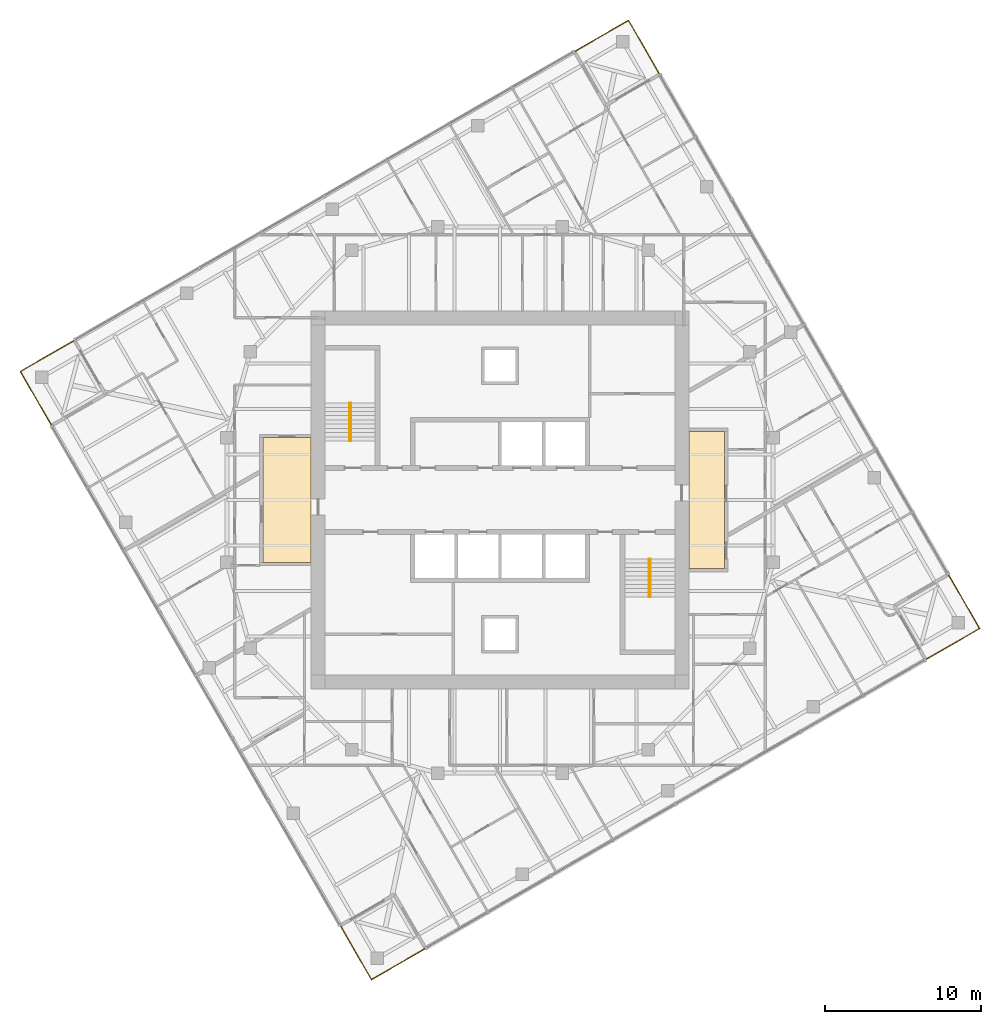
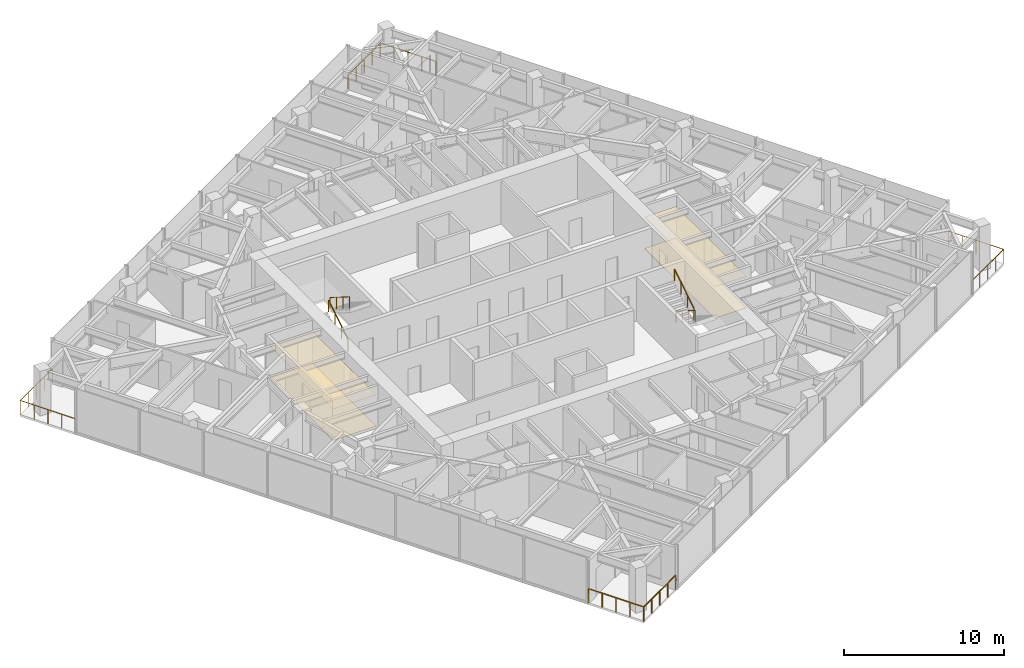
# One storey, part 12 of 12: 8 railings, 4 coverings, 2 elements without a shape of their own.
"""IFC4 building model written with IfcOpenShell, lengths in metres."""

from ifc_helpers import new_model, si_unit, direction, frame, origin, origin_2d, place, context, subcontext, project, spatial, polyline, circle, outline, extrude, material, layer, layer_set, type_object, element, aggregate, save


model = new_model("IFC4")

# Units and contexts
model_context = context("Model", 3, precision=1e-05, world=origin(), true_north=direction((0.0, 1.0)))
body_context = subcontext(model_context, "Body", "Model", "MODEL_VIEW")
ifc_project = project(units=[si_unit("LENGTHUNIT", "METRE"), si_unit("AREAUNIT", "SQUARE_METRE"), si_unit("VOLUMEUNIT", "CUBIC_METRE"), si_unit("PLANEANGLEUNIT", "RADIAN"), si_unit("MASSUNIT", "GRAM", prefix="KILO")], contexts=[model_context])

# Site, building, storey
site_placement = place(None, origin())
site = spatial("IfcSite", under=ifc_project, at=site_placement, CompositionType="ELEMENT")
building_placement = place(site_placement, origin())
building = spatial("IfcBuilding", under=site, at=building_placement, Name="Torsade Residences", CompositionType="ELEMENT")
storey_placement = place(building_placement, frame((0.0, 0.0, 211.60009765625)))
storey = spatial("IfcBuildingStorey", under=building, at=storey_placement, Name="L58", CompositionType="ELEMENT", Elevation=211.60009765625)

# Coverings
ifc_material_1 = material(Name="Nylon carpet tile on underlay", Category="textile")
ifc_layer_1 = layer(ifc_material_1, 0.010009765625)
ifc_layer_set_1 = layer_set([ifc_layer_1], Name="Nylon carpet tile on underlay")
covering_type_1 = type_object("IfcCoveringType", Name="CORRIDOR CARPET TILE 10", PredefinedType="FLOORING", material=ifc_layer_set_1)
covering_1_placement = place(storey_placement, origin())
element("IfcCovering", 1, at=covering_1_placement, inside=storey, type_object=covering_type_1, Name="Corridor carpet L58", PredefinedType="FLOORING", context=body_context, shape_type="SweptSolid", body=[
    extrude(outline(polyline([(54.39990234375, 25.60009765625), (54.39990234375, 34.39990234375), (52.10009765625, 34.39990234375), (52.10009765625, 25.60009765625), (54.39990234375, 25.60009765625)])), origin(), (0.0, 0.0, 1.0), 0.010009765625),
])
covering_2_placement = place(storey_placement, origin())
element("IfcCovering", 2, at=covering_2_placement, inside=storey, type_object=covering_type_1, Name="Corridor carpet west L58", PredefinedType="FLOORING", context=body_context, shape_type="SweptSolid", body=[
    extrude(outline(polyline([(27.89990234375, 26.0), (27.89990234375, 34.0), (24.800048828125, 34.0), (24.800048828125, 26.0), (27.89990234375, 26.0)])), origin(), (0.0, 0.0, 1.0), 0.010009765625),
])
ifc_material_2 = material(Name="Plasterboard on suspended steel grid", Category="steel")
ifc_layer_2 = layer(ifc_material_2, 0.012939453125)
ifc_layer_set_2 = layer_set([ifc_layer_2], Name="Plasterboard on suspended steel grid")
covering_type_2 = type_object("IfcCoveringType", Name="CORRIDOR SUSPENDED CEILING 13", PredefinedType="CEILING", material=ifc_layer_set_2)
covering_3_placement = place(storey_placement, frame((0.0, 0.0, 2.39990234375)))
element("IfcCovering", 3, at=covering_3_placement, inside=storey, type_object=covering_type_2, Name="Corridor ceiling L58", PredefinedType="CEILING", context=body_context, shape_type="SweptSolid", body=[
    extrude(outline(polyline([(54.39990234375, 25.60009765625), (54.39990234375, 34.39990234375), (52.10009765625, 34.39990234375), (52.10009765625, 25.60009765625), (54.39990234375, 25.60009765625)])), origin(), (0.0, 0.0, 1.0), 0.012939453125),
])
covering_4_placement = place(storey_placement, frame((0.0, 0.0, 2.39990234375)))
element("IfcCovering", 4, at=covering_4_placement, inside=storey, type_object=covering_type_2, Name="Corridor ceiling west L58", PredefinedType="CEILING", context=body_context, shape_type="SweptSolid", body=[
    extrude(outline(polyline([(27.89990234375, 26.0), (27.89990234375, 34.0), (24.800048828125, 34.0), (24.800048828125, 26.0), (27.89990234375, 26.0)])), origin(), (0.0, 0.0, 1.0), 0.012939453125),
])

# Stair, railings
ifc_material_3 = material(Name="Precast concrete 40 MPa", Category="concrete")
stair_type = type_object("IfcStairType", Name="HALF-TURN FIRE STAIR 1500x3400", PredefinedType="HALF_TURN_STAIR", material=ifc_material_3)
stair_1_placement = place(storey_placement, origin())
stair_1 = element("IfcStair", 5, at=stair_1_placement, inside=storey, type_object=stair_type, Name="Stair ST1 L58", PredefinedType="HALF_TURN_STAIR")
ifc_material_4 = material(Name="Steel handrail", Category="steel")
railing_type_1 = type_object("IfcRailingType", Name="STAIR HANDRAIL 900", PredefinedType="HANDRAIL", material=ifc_material_4)
railing_1_placement = place(storey_placement, frame((30.35009765625, 33.780029296875, 0.169921875)))
railing_1 = element("IfcRailing", 6, at=railing_1_placement, type_object=railing_type_1, Name="Handrail ST1 flight 1 L58", PredefinedType="HANDRAIL", context=body_context, shape_type="SweptSolid", body=[
    extrude(circle(Radius=0.02392578125, at=origin_2d()), frame((0.0, 0.0, 0.8759765625), z_axis=(0.0, 0.846221481393, 0.532831309544), x_axis=(-1.0, 0.0, 0.0)), (0.0, 0.0, 1.0), 2.87158203125),
    extrude(circle(Radius=0.02099609375, at=origin_2d()), origin(), (0.0, 0.0, 1.0), 0.851806640625),
    extrude(circle(Radius=0.02099609375, at=origin_2d()), frame((0.0, 0.81005859375, 0.510009765625)), (0.0, 0.0, 1.0), 0.851806640625),
    extrude(circle(Radius=0.02099609375, at=origin_2d()), frame((0.0, 1.619873046875, 1.02001953125)), (0.0, 0.0, 1.0), 0.851806640625),
    extrude(circle(Radius=0.02099609375, at=origin_2d()), frame((0.0, 2.429931640625, 1.530029296875)), (0.0, 0.0, 1.0), 0.851806640625),
])
railing_2_placement = place(storey_placement, frame((30.449951171875, 36.2099609375, 1.869873046875)))
railing_2 = element("IfcRailing", 7, at=railing_2_placement, type_object=railing_type_1, Name="Handrail ST1 flight 2 L58", PredefinedType="HANDRAIL", context=body_context, shape_type="SweptSolid", body=[
    extrude(circle(Radius=0.02392578125, at=origin_2d()), frame((0.0, 0.0, 0.8759765625), z_axis=(0.0, -0.846221481393, 0.532831309544), x_axis=(1.0, 0.0, 0.0)), (0.0, 0.0, 1.0), 2.87158203125),
    extrude(circle(Radius=0.02099609375, at=origin_2d()), origin(), (0.0, 0.0, 1.0), 0.851806640625),
    extrude(circle(Radius=0.02099609375, at=origin_2d()), frame((0.0, -0.81005859375, 0.510009765625)), (0.0, 0.0, 1.0), 0.851806640625),
    extrude(circle(Radius=0.02099609375, at=origin_2d()), frame((0.0, -1.619873046875, 1.02001953125)), (0.0, 0.0, 1.0), 0.851806640625),
    extrude(circle(Radius=0.02099609375, at=origin_2d()), frame((0.0, -2.429931640625, 1.530029296875)), (0.0, 0.0, 1.0), 0.851806640625),
])
aggregate(stair_1, [railing_1, railing_2])

stair_2_placement = place(storey_placement, origin())
stair_2 = element("IfcStair", 8, at=stair_2_placement, inside=storey, type_object=stair_type, Name="Stair ST2 L58", PredefinedType="HALF_TURN_STAIR")
railing_3_placement = place(storey_placement, frame((49.64990234375, 26.219970703125, 0.169921875)))
railing_3 = element("IfcRailing", 9, at=railing_3_placement, type_object=railing_type_1, Name="Handrail ST2 flight 1 L58", PredefinedType="HANDRAIL", context=body_context, shape_type="SweptSolid", body=[
    extrude(circle(Radius=0.02392578125, at=origin_2d()), frame((0.0, 0.0, 0.8759765625), z_axis=(0.0, -0.846221481393, 0.532831309544), x_axis=(1.0, 0.0, 0.0)), (0.0, 0.0, 1.0), 2.87158203125),
    extrude(circle(Radius=0.02099609375, at=origin_2d()), origin(), (0.0, 0.0, 1.0), 0.851806640625),
    extrude(circle(Radius=0.02099609375, at=origin_2d()), frame((0.0, -0.81005859375, 0.510009765625)), (0.0, 0.0, 1.0), 0.851806640625),
    extrude(circle(Radius=0.02099609375, at=origin_2d()), frame((0.0, -1.619873046875, 1.02001953125)), (0.0, 0.0, 1.0), 0.851806640625),
    extrude(circle(Radius=0.02099609375, at=origin_2d()), frame((0.0, -2.429931640625, 1.530029296875)), (0.0, 0.0, 1.0), 0.851806640625),
])
railing_4_placement = place(storey_placement, frame((49.550048828125, 23.7900390625, 1.869873046875)))
railing_4 = element("IfcRailing", 10, at=railing_4_placement, type_object=railing_type_1, Name="Handrail ST2 flight 2 L58", PredefinedType="HANDRAIL", context=body_context, shape_type="SweptSolid", body=[
    extrude(circle(Radius=0.02392578125, at=origin_2d()), frame((0.0, 0.0, 0.8759765625), z_axis=(0.0, 0.846221481393, 0.532831309544), x_axis=(-1.0, 0.0, 0.0)), (0.0, 0.0, 1.0), 2.87158203125),
    extrude(circle(Radius=0.02099609375, at=origin_2d()), origin(), (0.0, 0.0, 1.0), 0.851806640625),
    extrude(circle(Radius=0.02099609375, at=origin_2d()), frame((0.0, 0.81005859375, 0.510009765625)), (0.0, 0.0, 1.0), 0.851806640625),
    extrude(circle(Radius=0.02099609375, at=origin_2d()), frame((0.0, 1.619873046875, 1.02001953125)), (0.0, 0.0, 1.0), 0.851806640625),
    extrude(circle(Radius=0.02099609375, at=origin_2d()), frame((0.0, 2.429931640625, 1.530029296875)), (0.0, 0.0, 1.0), 0.851806640625),
])
aggregate(stair_2, [railing_3, railing_4])

# Railings
ifc_material_5 = material(Name="Laminated glass balustrade", Category="glass")
railing_type_2 = type_object("IfcRailingType", Name="TERRACE GLASS BALUSTRADE 1100", PredefinedType="BALUSTRADE", material=ifc_material_5)
railing_5_placement = place(storey_placement, frame((67.271484375, 19.764404296875, 0.0)))
element("IfcRailing", 11, at=railing_5_placement, inside=storey, type_object=railing_type_2, Name="Terrace balustrade SE L58", PredefinedType="BALUSTRADE", context=body_context, shape_type="SweptSolid", body=[
    extrude(circle(Radius=0.02392578125, at=origin_2d()), frame((0.0, 0.0, 1.076171875), z_axis=(0.866026010844, 0.49999894854, 0.0), x_axis=(-0.49999894854, 0.866026010844, 0.0)), (0.0, 0.0, 1.0), 4.0),
    extrude(circle(Radius=0.02392578125, at=origin_2d()), frame((3.464111328125, 2.0, 1.076171875), z_axis=(-0.49999894854, 0.866026010844, 0.0), x_axis=(-0.866026010844, -0.49999894854, 0.0)), (0.0, 0.0, 1.0), 4.0),
    extrude(circle(Radius=0.02099609375, at=origin_2d()), origin(), (0.0, 0.0, 1.0), 1.052001953125),
    extrude(circle(Radius=0.02099609375, at=origin_2d()), frame((0.865966796875, 0.5, 0.0)), (0.0, 0.0, 1.0), 1.052001953125),
    extrude(circle(Radius=0.02099609375, at=origin_2d()), frame((1.73193359375, 1.0, 0.0)), (0.0, 0.0, 1.0), 1.052001953125),
    extrude(circle(Radius=0.02099609375, at=origin_2d()), frame((2.59814453125, 1.5, 0.0)), (0.0, 0.0, 1.0), 1.052001953125),
    extrude(circle(Radius=0.02099609375, at=origin_2d()), frame((3.464111328125, 2.0, 0.0)), (0.0, 0.0, 1.0), 1.052001953125),
    extrude(circle(Radius=0.02099609375, at=origin_2d()), frame((2.964111328125, 2.865966796875, 0.0)), (0.0, 0.0, 1.0), 1.052001953125),
    extrude(circle(Radius=0.02099609375, at=origin_2d()), frame((2.464111328125, 3.73193359375, 0.0)), (0.0, 0.0, 1.0), 1.052001953125),
    extrude(circle(Radius=0.02099609375, at=origin_2d()), frame((1.964111328125, 4.59814453125, 0.0)), (0.0, 0.0, 1.0), 1.052001953125),
    extrude(circle(Radius=0.02099609375, at=origin_2d()), frame((1.464111328125, 5.464111328125, 0.0)), (0.0, 0.0, 1.0), 1.052001953125),
])
railing_6_placement = place(storey_placement, frame((50.235595703125, 57.271484375, 0.0)))
element("IfcRailing", 12, at=railing_6_placement, inside=storey, type_object=railing_type_2, Name="Terrace balustrade NE L58", PredefinedType="BALUSTRADE", context=body_context, shape_type="SweptSolid", body=[
    extrude(circle(Radius=0.02392578125, at=origin_2d()), frame((0.0, 0.0, 1.076171875), z_axis=(-0.49999894854, 0.866026010844, 0.0), x_axis=(-0.866026010844, -0.49999894854, 0.0)), (0.0, 0.0, 1.0), 4.0),
    extrude(circle(Radius=0.02392578125, at=origin_2d()), frame((-2.0, 3.464111328125, 1.076171875), z_axis=(-0.866026010844, -0.49999894854, 0.0), x_axis=(0.49999894854, -0.866026010844, 0.0)), (0.0, 0.0, 1.0), 4.0),
    extrude(circle(Radius=0.02099609375, at=origin_2d()), origin(), (0.0, 0.0, 1.0), 1.052001953125),
    extrude(circle(Radius=0.02099609375, at=origin_2d()), frame((-0.5, 0.865966796875, 0.0)), (0.0, 0.0, 1.0), 1.052001953125),
    extrude(circle(Radius=0.02099609375, at=origin_2d()), frame((-1.0, 1.73193359375, 0.0)), (0.0, 0.0, 1.0), 1.052001953125),
    extrude(circle(Radius=0.02099609375, at=origin_2d()), frame((-1.5, 2.59814453125, 0.0)), (0.0, 0.0, 1.0), 1.052001953125),
    extrude(circle(Radius=0.02099609375, at=origin_2d()), frame((-2.0, 3.464111328125, 0.0)), (0.0, 0.0, 1.0), 1.052001953125),
    extrude(circle(Radius=0.02099609375, at=origin_2d()), frame((-2.865966796875, 2.964111328125, 0.0)), (0.0, 0.0, 1.0), 1.052001953125),
    extrude(circle(Radius=0.02099609375, at=origin_2d()), frame((-3.73193359375, 2.464111328125, 0.0)), (0.0, 0.0, 1.0), 1.052001953125),
    extrude(circle(Radius=0.02099609375, at=origin_2d()), frame((-4.59814453125, 1.964111328125, 0.0)), (0.0, 0.0, 1.0), 1.052001953125),
    extrude(circle(Radius=0.02099609375, at=origin_2d()), frame((-5.464111328125, 1.464111328125, 0.0)), (0.0, 0.0, 1.0), 1.052001953125),
])
railing_7_placement = place(storey_placement, frame((12.728515625, 40.235595703125, 0.0)))
element("IfcRailing", 13, at=railing_7_placement, inside=storey, type_object=railing_type_2, Name="Terrace balustrade NW L58", PredefinedType="BALUSTRADE", context=body_context, shape_type="SweptSolid", body=[
    extrude(circle(Radius=0.02392578125, at=origin_2d()), frame((0.0, 0.0, 1.076171875), z_axis=(-0.866026010844, -0.49999894854, 0.0), x_axis=(0.49999894854, -0.866026010844, 0.0)), (0.0, 0.0, 1.0), 4.0),
    extrude(circle(Radius=0.02392578125, at=origin_2d()), frame((-3.464111328125, -2.0, 1.076171875), z_axis=(0.49999894854, -0.866026010844, 0.0), x_axis=(0.866026010844, 0.49999894854, 0.0)), (0.0, 0.0, 1.0), 4.0),
    extrude(circle(Radius=0.02099609375, at=origin_2d()), origin(), (0.0, 0.0, 1.0), 1.052001953125),
    extrude(circle(Radius=0.02099609375, at=origin_2d()), frame((-0.865966796875, -0.5, 0.0)), (0.0, 0.0, 1.0), 1.052001953125),
    extrude(circle(Radius=0.02099609375, at=origin_2d()), frame((-1.73193359375, -1.0, 0.0)), (0.0, 0.0, 1.0), 1.052001953125),
    extrude(circle(Radius=0.02099609375, at=origin_2d()), frame((-2.59814453125, -1.5, 0.0)), (0.0, 0.0, 1.0), 1.052001953125),
    extrude(circle(Radius=0.02099609375, at=origin_2d()), frame((-3.464111328125, -2.0, 0.0)), (0.0, 0.0, 1.0), 1.052001953125),
    extrude(circle(Radius=0.02099609375, at=origin_2d()), frame((-2.964111328125, -2.865966796875, 0.0)), (0.0, 0.0, 1.0), 1.052001953125),
    extrude(circle(Radius=0.02099609375, at=origin_2d()), frame((-2.464111328125, -3.73193359375, 0.0)), (0.0, 0.0, 1.0), 1.052001953125),
    extrude(circle(Radius=0.02099609375, at=origin_2d()), frame((-1.964111328125, -4.59814453125, 0.0)), (0.0, 0.0, 1.0), 1.052001953125),
    extrude(circle(Radius=0.02099609375, at=origin_2d()), frame((-1.464111328125, -5.464111328125, 0.0)), (0.0, 0.0, 1.0), 1.052001953125),
])
railing_8_placement = place(storey_placement, frame((29.764404296875, 2.728515625, 0.0)))
element("IfcRailing", 14, at=railing_8_placement, inside=storey, type_object=railing_type_2, Name="Terrace balustrade SW L58", PredefinedType="BALUSTRADE", context=body_context, shape_type="SweptSolid", body=[
    extrude(circle(Radius=0.02392578125, at=origin_2d()), frame((0.0, 0.0, 1.076171875), z_axis=(0.49999894854, -0.866026010844, 0.0), x_axis=(0.866026010844, 0.49999894854, 0.0)), (0.0, 0.0, 1.0), 4.0),
    extrude(circle(Radius=0.02392578125, at=origin_2d()), frame((2.0, -3.464111328125, 1.076171875), z_axis=(0.866026010844, 0.49999894854, 0.0), x_axis=(-0.49999894854, 0.866026010844, 0.0)), (0.0, 0.0, 1.0), 4.0),
    extrude(circle(Radius=0.02099609375, at=origin_2d()), origin(), (0.0, 0.0, 1.0), 1.052001953125),
    extrude(circle(Radius=0.02099609375, at=origin_2d()), frame((0.5, -0.865966796875, 0.0)), (0.0, 0.0, 1.0), 1.052001953125),
    extrude(circle(Radius=0.02099609375, at=origin_2d()), frame((1.0, -1.73193359375, 0.0)), (0.0, 0.0, 1.0), 1.052001953125),
    extrude(circle(Radius=0.02099609375, at=origin_2d()), frame((1.5, -2.59814453125, 0.0)), (0.0, 0.0, 1.0), 1.052001953125),
    extrude(circle(Radius=0.02099609375, at=origin_2d()), frame((2.0, -3.464111328125, 0.0)), (0.0, 0.0, 1.0), 1.052001953125),
    extrude(circle(Radius=0.02099609375, at=origin_2d()), frame((2.865966796875, -2.964111328125, 0.0)), (0.0, 0.0, 1.0), 1.052001953125),
    extrude(circle(Radius=0.02099609375, at=origin_2d()), frame((3.73193359375, -2.464111328125, 0.0)), (0.0, 0.0, 1.0), 1.052001953125),
    extrude(circle(Radius=0.02099609375, at=origin_2d()), frame((4.59814453125, -1.964111328125, 0.0)), (0.0, 0.0, 1.0), 1.052001953125),
    extrude(circle(Radius=0.02099609375, at=origin_2d()), frame((5.464111328125, -1.464111328125, 0.0)), (0.0, 0.0, 1.0), 1.052001953125),
])

save(model, "model.ifc")
